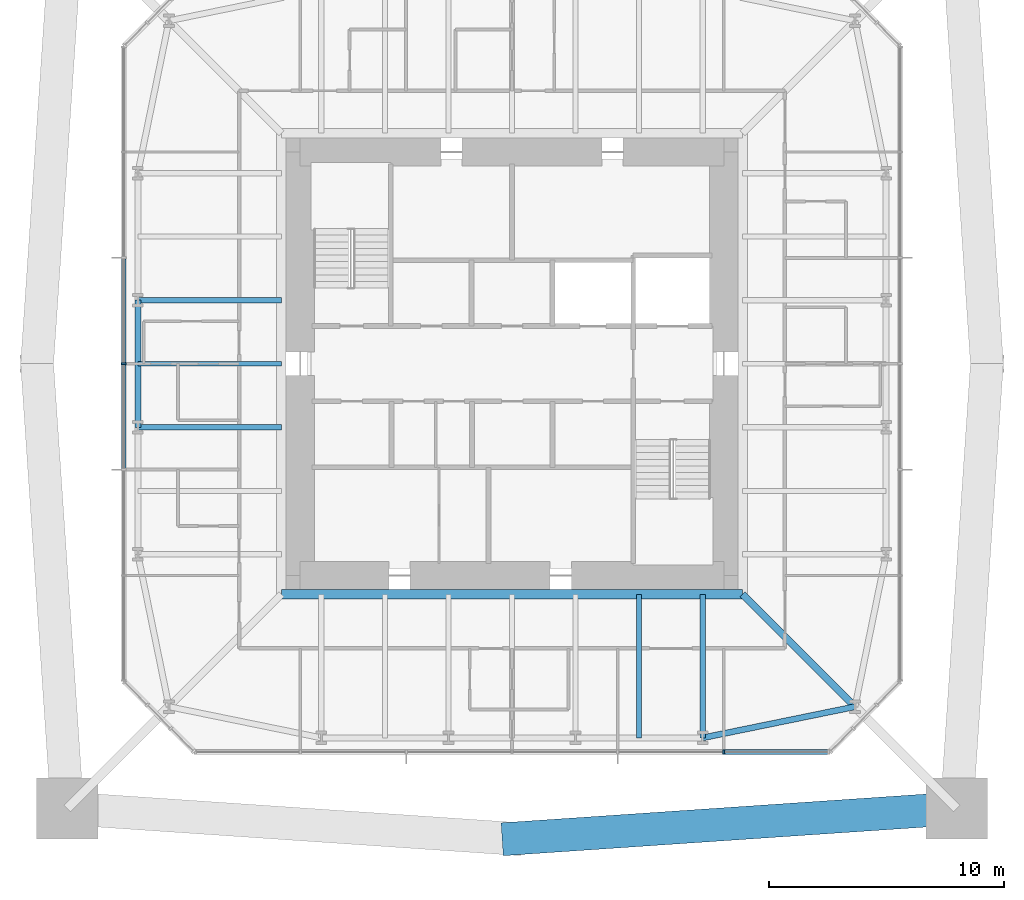
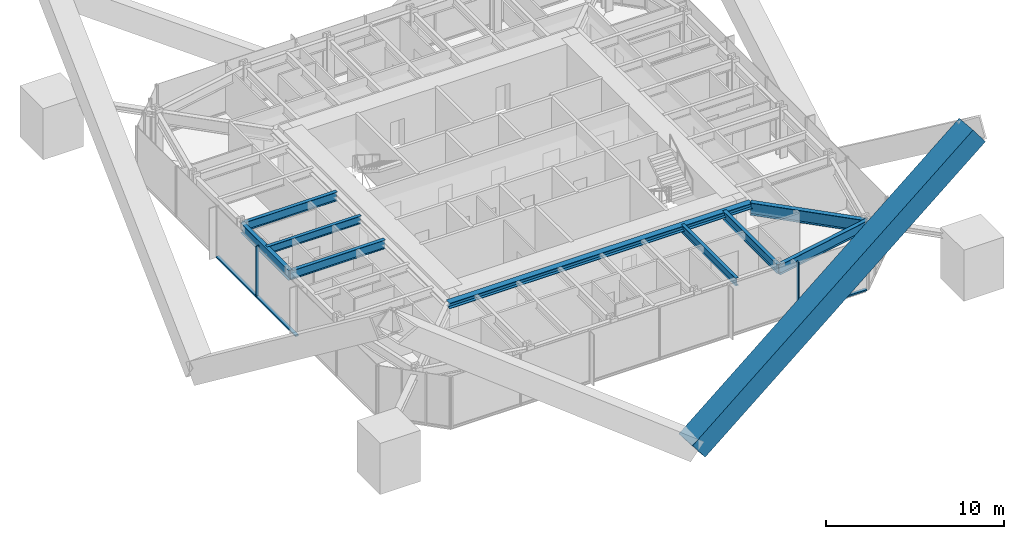
# One storey, part 3 of 11: 9 beams, 6 members, 2 elements without a shape of their own.
"""IFC4 building model written with IfcOpenShell, lengths in metres."""

import ifcopenshell
import ifcopenshell.guid

model = None  # the IFC model being written
_history = None  # IfcOwnerHistory: only IFC2X3 demands one
_inside = {}  # id of a spatial element -> (the spatial element, [elements in it])
_under = {}  # id of a project, library or spatial element -> (it, [spatial elements below it])
_declared = {}  # id of a project -> (the project, [libraries it declares])
_typed = {}  # id of a type object -> (the type object, [elements of that type])
_made_of = {}  # id of a material, layer set ... -> (it, [elements and type objects made of it])


def new_model(schema):
    """Start an empty IFC model of exactly this schema.

    Asked for "IFC4X3", IfcOpenShell would pick the latest addendum, in which some entities
    have other attributes; the version numbers below select the first issue.
    IFC2X3 requires an IfcOwnerHistory on every rooted entity: one is made here for all.
    """
    global model, _history
    if schema == "IFC4X3":
        model = ifcopenshell.file(schema_version=(4, 3, 0, 0))
    else:
        model = ifcopenshell.file(schema=schema)
    _inside.clear()
    _under.clear()
    _declared.clear()
    _typed.clear()
    _made_of.clear()
    _history = None
    if model.schema == "IFC2X3":
        org = make("IfcOrganization", Name="unknown")
        user = make(
            "IfcPersonAndOrganization",
            ThePerson=make("IfcPerson", FamilyName="unknown"),
            TheOrganization=org,
        )
        app = make(
            "IfcApplication",
            ApplicationDeveloper=org,
            Version="unknown",
            ApplicationFullName="unknown",
            ApplicationIdentifier="unknown",
        )
        _history = make(
            "IfcOwnerHistory",
            OwningUser=user,
            OwningApplication=app,
            ChangeAction="ADDED",
            CreationDate=0,
        )
    return model


def make(cls, **values):
    """One entity of the class cls with the attributes given. An attribute that is None is left unset."""
    return model.create_entity(
        cls, **{name: value for name, value in values.items() if value is not None}
    )


def rooted(cls, **values):
    """An entity with a GlobalId (a new one), such as an element, a storey or a relation."""
    return make(cls, GlobalId=ifcopenshell.guid.new(), OwnerHistory=_history, **values)


def si_unit(unit_type, name, prefix=None):
    """IfcSIUnit, for example si_unit("LENGTHUNIT", "METRE", prefix="MILLI")."""
    return make("IfcSIUnit", UnitType=unit_type, Prefix=prefix, Name=name)


def assignment(units):
    """IfcUnitAssignment: the units of a project."""
    return None if units is None else make("IfcUnitAssignment", Units=units)


def point(xyz):
    """IfcCartesianPoint."""
    return None if xyz is None else make("IfcCartesianPoint", Coordinates=xyz)


def direction(xyz):
    """IfcDirection."""
    return None if xyz is None else make("IfcDirection", DirectionRatios=xyz)


def frame(location, z_axis=None, x_axis=None):
    """IfcAxis2Placement3D, a coordinate frame: its origin and axes. An axis left out is left unset."""
    return make(
        "IfcAxis2Placement3D",
        Location=point(location),
        Axis=direction(z_axis),
        RefDirection=direction(x_axis),
    )


def frame_2d(location, x_axis=None):
    """IfcAxis2Placement2D, a coordinate frame in the plane: its origin and x axis."""
    return make(
        "IfcAxis2Placement2D", Location=point(location), RefDirection=direction(x_axis)
    )


def origin():
    """The frame at (0, 0, 0) with its axes left unset."""
    return frame((0.0, 0.0, 0.0))


def origin_2d():
    """The frame at (0, 0) in the plane with its x axis left unset."""
    return frame_2d((0.0, 0.0))


def place(relative_to, where):
    """IfcLocalPlacement: puts the frame where relative to a parent placement (None: the world)."""
    return make(
        "IfcLocalPlacement", PlacementRelTo=relative_to, RelativePlacement=where
    )


def context(
    kind, dimensions, precision=None, world=None, true_north=None, identifier=None
):
    """IfcGeometricRepresentationContext, for example the 3D "Model" context."""
    return make(
        "IfcGeometricRepresentationContext",
        ContextIdentifier=identifier,
        ContextType=kind,
        CoordinateSpaceDimension=dimensions,
        Precision=precision,
        WorldCoordinateSystem=world,
        TrueNorth=true_north,
    )


def subcontext(parent, identifier, kind, view, scale=None):
    """IfcGeometricRepresentationSubContext, for example "Body" below "Model"."""
    return make(
        "IfcGeometricRepresentationSubContext",
        ContextIdentifier=identifier,
        ContextType=kind,
        ParentContext=parent,
        TargetScale=scale,
        TargetView=view,
    )


def project(units=None, contexts=None):
    """IfcProject with its units and contexts."""
    return rooted(
        "IfcProject",
        Name="project",
        RepresentationContexts=contexts,
        UnitsInContext=assignment(units),
    )


def spatial(cls, under=None, at=None, **own):
    """A site, building, storey or space (cls), placed at a placement, below another one or the project."""
    s = rooted(cls, ObjectPlacement=at, **own)
    if under is not None:
        _under.setdefault(under.id(), (under, []))[1].append(s)
    return s


def profile(cls, at=None, kind="AREA", **sizes):
    """A parametric profile (cls). Its sizes go by their IFC names, for example OverallWidth=200.0."""
    return make(cls, ProfileType=kind, Position=at, **sizes)


def rectangle(**sizes):
    """IfcRectangleProfileDef."""
    return profile("IfcRectangleProfileDef", **sizes)


def hollow_rectangle(**sizes):
    """IfcRectangleHollowProfileDef."""
    return profile("IfcRectangleHollowProfileDef", **sizes)


def i_section(**sizes):
    """IfcIShapeProfileDef."""
    return profile("IfcIShapeProfileDef", **sizes)


def extrude(swept, where, along, depth):
    """IfcExtrudedAreaSolid: the profile swept, set in the frame where, extruded along a direction by depth."""
    return make(
        "IfcExtrudedAreaSolid",
        SweptArea=swept,
        Position=where,
        ExtrudedDirection=direction(along),
        Depth=depth,
    )


def shape(context_of_items, identifier, shape_type, items):
    """IfcShapeRepresentation: the items that make up one representation, for example the "Body"."""
    return make(
        "IfcShapeRepresentation",
        ContextOfItems=context_of_items,
        RepresentationIdentifier=identifier,
        RepresentationType=shape_type,
        Items=items,
    )


def material(Name=None, Category=None):
    """IfcMaterial."""
    return make("IfcMaterial", Name=Name, Category=Category)


def material_profile(
    of_material, cross_section, Name=None, Category=None, Priority=None
):
    """IfcMaterialProfile: a cross section and its material."""
    return make(
        "IfcMaterialProfile",
        Name=Name,
        Material=of_material,
        Profile=cross_section,
        Priority=Priority,
        Category=Category,
    )


def profile_set(profiles, Name=None, composite=None):
    """IfcMaterialProfileSet."""
    return make(
        "IfcMaterialProfileSet",
        Name=Name,
        MaterialProfiles=profiles,
        CompositeProfile=composite,
    )


def made_of(thing, what):
    """Note that an element or type object is made of a material, layer set ...; save() writes the relation."""
    if what is not None:
        _made_of.setdefault(what.id(), (what, []))[1].append(thing)
    return thing


def type_object(cls, material=None, **own):
    """A type object (cls), such as IfcWallType, which elements share."""
    return made_of(rooted(cls, **own), material)


def element(
    cls,
    number,
    at=None,
    inside=None,
    cuts=None,
    type_object=None,
    material=None,
    context=None,
    identifier="Body",
    shape_type=None,
    held_by="IfcProductDefinitionShape",
    body=None,
    shapes=None,
    **own,
):
    """One element of the class cls, such as IfcWall. Its Tag is "e" and its number.

    at: its placement. inside: the storey or other place that contains it. cuts: it is an
    opening in that element (IfcRelVoidsElement). A single representation is given by context,
    identifier, shape_type and body (its items); several are given by shapes. held_by: the class
    of the entity that holds the representations. save() writes the other relations.
    """
    e = rooted(cls, Tag="e%d" % number, ObjectPlacement=at, **own)
    if body is not None:
        shapes = [shape(context, identifier, shape_type, body)]
    if shapes is not None:
        e.Representation = make(held_by, Representations=shapes)
    if inside is not None:
        _inside.setdefault(inside.id(), (inside, []))[1].append(e)
    if cuts is not None:
        rooted(
            "IfcRelVoidsElement", RelatingBuildingElement=cuts, RelatedOpeningElement=e
        )
    if type_object is not None:
        _typed.setdefault(type_object.id(), (type_object, []))[1].append(e)
    return made_of(e, material)


def aggregate(whole, parts):
    """IfcRelAggregates: a whole, such as a stair, and the parts it consists of."""
    return rooted("IfcRelAggregates", RelatingObject=whole, RelatedObjects=parts)


def save(model, path):
    """Write the relations noted so far, then the file.

    IfcRelAggregates (storeys below a building ...), IfcRelContainedInSpatialStructure (elements
    in a storey), IfcRelDefinesByType, IfcRelAssociatesMaterial and IfcRelDeclares: one each for
    every whole, place, type object, material and project.
    """
    for whole, parts in _under.values():
        aggregate(whole, parts)
    for where, things in _inside.values():
        rooted(
            "IfcRelContainedInSpatialStructure",
            RelatedElements=things,
            RelatingStructure=where,
        )
    for kind, things in _typed.values():
        rooted("IfcRelDefinesByType", RelatedObjects=things, RelatingType=kind)
    for what, things in _made_of.values():
        rooted("IfcRelAssociatesMaterial", RelatedObjects=things, RelatingMaterial=what)
    for by, libraries in _declared.values():
        rooted("IfcRelDeclares", RelatingContext=by, RelatedDefinitions=libraries)
    model.write(path)


model = new_model("IFC4")

# Units and contexts
model_context = context("Model", 3, precision=1e-05, world=origin(), true_north=direction((0.0, 1.0)))
body_context = subcontext(model_context, "Body", "Model", "MODEL_VIEW")
ifc_project = project(units=[si_unit("LENGTHUNIT", "METRE"), si_unit("AREAUNIT", "SQUARE_METRE"), si_unit("VOLUMEUNIT", "CUBIC_METRE"), si_unit("PLANEANGLEUNIT", "RADIAN"), si_unit("MASSUNIT", "GRAM", prefix="KILO")], contexts=[model_context])

# Site, building, storey
site_placement = place(None, origin())
site = spatial("IfcSite", under=ifc_project, at=site_placement, CompositionType="ELEMENT")
building_placement = place(site_placement, origin())
building = spatial("IfcBuilding", under=site, at=building_placement, Name="Iwan Alto Co-Living Towers", CompositionType="ELEMENT")
storey_placement = place(building_placement, frame((0.0, 0.0, 229.0)))
storey = spatial("IfcBuildingStorey", under=building, at=storey_placement, Name="L62", CompositionType="ELEMENT", Elevation=229.0)

# Curtain wall, member
ifc_material_1 = material(Name="Bronze aluminium unitised frame", Category="aluminium")
curtain_wall_type = type_object("IfcCurtainWallType", Name="CURTAIN WALL CW-A", PredefinedType="NOTDEFINED", material=ifc_material_1)
curtain_wall_1_placement = place(storey_placement, origin())
curtain_wall_1 = element("IfcCurtainWall", 1, at=curtain_wall_1_placement, inside=storey, type_object=curtain_wall_type, Name="T1 curtain wall S L62", PredefinedType="NOTDEFINED")
ifc_material_2 = material(Name="Aluminium 6063-T6 bronze anodised", Category="aluminium")
ifc_material_profile_1 = material_profile(ifc_material_2, rectangle(XDim=0.199951171875, YDim=0.080078125, at=origin_2d()), Name="AL 80X200")
ifc_profile_set_1 = profile_set([ifc_material_profile_1], Name="Aluminium 6063-T6 bronze anodised")
member_type_1 = type_object("IfcMemberType", Name="CW-A MULLION 80X200", PredefinedType="MULLION", material=ifc_profile_set_1)
member_1_placement = place(storey_placement, frame((9.0, -16.5, 0.0), z_axis=(0.0, 0.0, 1.0), x_axis=(0.0, 1.0, 0.0)))
member_1 = element("IfcMember", 2, at=member_1_placement, type_object=member_type_1, Name="CW-A mullion 6", PredefinedType="MULLION", context=body_context, shape_type="SweptSolid", body=[
    extrude(rectangle(XDim=0.199951171875, YDim=0.080078125, at=origin_2d()), origin(), (0.0, 0.0, 1.0), 3.5),
])

curtain_wall_2_placement = place(storey_placement, origin())
curtain_wall_2 = element("IfcCurtainWall", 3, at=curtain_wall_2_placement, inside=storey, type_object=curtain_wall_type, Name="T1 curtain wall W L62", PredefinedType="NOTDEFINED")
member_2_placement = place(storey_placement, frame((-16.5, 0.0, 0.0), z_axis=(0.0, 0.0, 1.0), x_axis=(1.0, 0.0, 0.0)))
member_2 = element("IfcMember", 4, at=member_2_placement, type_object=member_type_1, Name="CW-A mullion 4", PredefinedType="MULLION", context=body_context, shape_type="SweptSolid", body=[
    extrude(rectangle(XDim=0.199951171875, YDim=0.080078125, at=origin_2d()), origin(), (0.0, 0.0, 1.0), 3.5),
])

# Member
ifc_material_3 = material(Name="Aluminium 6063-T6 bronze anodised", Category="aluminium")
ifc_material_profile_2 = material_profile(ifc_material_3, rectangle(XDim=0.199951171875, YDim=0.10009765625, at=origin_2d()), Name="AL 200X100")
ifc_profile_set_2 = profile_set([ifc_material_profile_2], Name="Aluminium 6063-T6 bronze anodised")
member_type_2 = type_object("IfcMemberType", Name="CW-A TRANSOM 200X100", PredefinedType="USERDEFINED", material=ifc_profile_set_2)
member_3_placement = place(storey_placement, frame((9.0400390625, -16.5, 0.050048828125), z_axis=(1.0, 0.0, 0.0), x_axis=(0.0, 1.0, 0.0)))
member_3 = element("IfcMember", 5, at=member_3_placement, type_object=member_type_2, Name="CW-A transom 6.1", ObjectType="TRANSOM", PredefinedType="USERDEFINED", context=body_context, shape_type="SweptSolid", body=[
    extrude(rectangle(XDim=0.199951171875, YDim=0.10009765625, at=origin_2d()), origin(), (0.0, 0.0, 1.0), 4.3798828125),
])

aggregate(curtain_wall_1, [member_1, member_3])

member_4_placement = place(storey_placement, frame((-16.5, 4.4599609375, 0.050048828125), z_axis=(0.0, -1.0, 0.0), x_axis=(1.0, 0.0, 0.0)))
member_4 = element("IfcMember", 6, at=member_4_placement, type_object=member_type_2, Name="CW-A transom 3.1", ObjectType="TRANSOM", PredefinedType="USERDEFINED", context=body_context, shape_type="SweptSolid", body=[
    extrude(rectangle(XDim=0.199951171875, YDim=0.10009765625, at=origin_2d()), origin(), (0.0, 0.0, 1.0), 4.419921875),
])

member_5_placement = place(storey_placement, frame((-16.5, -0.0400390625, 0.050048828125), z_axis=(0.0, -1.0, 0.0), x_axis=(1.0, 0.0, 0.0)))
member_5 = element("IfcMember", 7, at=member_5_placement, type_object=member_type_2, Name="CW-A transom 4.1", ObjectType="TRANSOM", PredefinedType="USERDEFINED", context=body_context, shape_type="SweptSolid", body=[
    extrude(rectangle(XDim=0.199951171875, YDim=0.10009765625, at=origin_2d()), origin(), (0.0, 0.0, 1.0), 4.419921875),
])

aggregate(curtain_wall_2, [member_2, member_4, member_5])

# Beams
ifc_material_4 = material(Name="Steel ASTM A992 Gr 50", Category="steel")
ifc_material_profile_3 = material_profile(ifc_material_4, i_section(OverallWidth=0.398681640625, OverallDepth=0.385986328125, WebThickness=0.02099609375, FlangeThickness=0.033203125, at=origin_2d()), Name="W14X176")
ifc_profile_set_3 = profile_set([ifc_material_profile_3], Name="Steel ASTM A992 Gr 50")
beam_type_1 = type_object("IfcBeamType", Name="T1 CORE LEDGER BEAM W14X176", PredefinedType="BEAM", material=ifc_profile_set_3)
beam_1_placement = place(storey_placement, frame((-9.79931640625, -9.79931640625, 3.076904296875), z_axis=(1.0, 0.0, 0.0), x_axis=(0.0, 1.0, 0.0)))
element("IfcBeam", 8, at=beam_1_placement, inside=storey, type_object=beam_type_1, Name="T1 core ledger beam S L63", PredefinedType="BEAM", context=body_context, shape_type="SweptSolid", body=[
    extrude(i_section(OverallWidth=0.398681640625, OverallDepth=0.385986328125, WebThickness=0.02099609375, FlangeThickness=0.033203125, at=origin_2d()), origin(), (0.0, 0.0, 1.0), 19.5986328125),
])
ifc_material_5 = material(Name="Steel ASTM A992 Gr 50", Category="steel")
ifc_material_profile_4 = material_profile(ifc_material_5, i_section(OverallWidth=0.2919921875, OverallDepth=0.8408203125, WebThickness=0.0146484375, FlangeThickness=0.021728515625, at=origin_2d()), Name="W33X130")
ifc_profile_set_4 = profile_set([ifc_material_profile_4], Name="Steel ASTM A992 Gr 50")
beam_type_2 = type_object("IfcBeamType", Name="T1 CORNER GIRDER W33X130", PredefinedType="BEAM", material=ifc_profile_set_4)
beam_2_placement = place(storey_placement, frame((14.57568359375, -14.57568359375, 2.849609375), z_axis=(-0.707106781187, 0.707106781187, 0.0), x_axis=(-0.707106781187, -0.707106781187, 0.0)))
element("IfcBeam", 9, at=beam_2_placement, inside=storey, type_object=beam_type_2, Name="T1 corner girder CSE L63", PredefinedType="BEAM", context=body_context, shape_type="SweptSolid", body=[
    extrude(i_section(OverallWidth=0.2919921875, OverallDepth=0.8408203125, WebThickness=0.0146484375, FlangeThickness=0.021728515625, at=origin_2d()), origin(), (0.0, 0.0, 1.0), 6.7548828125),
])
ifc_material_6 = material(Name="Steel ASTM A992 Gr 50", Category="steel")
ifc_material_profile_5 = material_profile(ifc_material_6, i_section(OverallWidth=0.25390625, OverallDepth=0.683349609375, WebThickness=0.012451171875, FlangeThickness=0.018798828125, at=origin_2d()), Name="W27X94")
ifc_profile_set_5 = profile_set([ifc_material_profile_5], Name="Steel ASTM A992 Gr 50")
beam_type_3 = type_object("IfcBeamType", Name="T1 EDGE BEAM W27X94", PredefinedType="BEAM", material=ifc_profile_set_5)
beam_3_placement = place(storey_placement, frame((8.10009765625, -15.89990234375, 2.928466796875), z_axis=(0.979724820103, 0.200347889618, 0.0), x_axis=(-0.200347889618, 0.979724820103, 0.0)))
element("IfcBeam", 10, at=beam_3_placement, inside=storey, type_object=beam_type_3, Name="T1 edge beam S4 L63", PredefinedType="BEAM", context=body_context, shape_type="SweptSolid", body=[
    extrude(i_section(OverallWidth=0.25390625, OverallDepth=0.683349609375, WebThickness=0.012451171875, FlangeThickness=0.018798828125, at=origin_2d()), origin(), (0.0, 0.0, 1.0), 6.609619140625),
])
beam_4_placement = place(storey_placement, frame((-15.89990234375, 2.699951171875, 2.928466796875), z_axis=(0.0, -1.0, 0.0), x_axis=(1.0, 0.0, 0.0)))
element("IfcBeam", 11, at=beam_4_placement, inside=storey, type_object=beam_type_3, Name="T1 edge beam W2 L63", PredefinedType="BEAM", context=body_context, shape_type="SweptSolid", body=[
    extrude(i_section(OverallWidth=0.25390625, OverallDepth=0.683349609375, WebThickness=0.012451171875, FlangeThickness=0.018798828125, at=origin_2d()), origin(), (0.0, 0.0, 1.0), 5.39990234375),
])

# Member
ifc_material_7 = material(Name="Steel ASTM A572 Gr 50", Category="steel")
ifc_material_profile_6 = material_profile(ifc_material_7, hollow_rectangle(XDim=1.39990234375, YDim=1.39990234375, WallThickness=0.10009765625, at=origin_2d()), Name="BOX 1400X1400X100")
ifc_profile_set_6 = profile_set([ifc_material_profile_6], Name="Steel ASTM A572 Gr 50")
member_type_3 = type_object("IfcMemberType", Name="T1 MEGA BRACE BOX 1400X1400X100", PredefinedType="BRACE", material=ifc_profile_set_6)
member_6_placement = place(storey_placement, frame((0.0, -20.181640625, -3.7158203125), z_axis=(0.797998095626, 0.054117989021, 0.600225193274), x_axis=(-0.067661775131, 0.997708316186, 0.0)))
element("IfcMember", 12, at=member_6_placement, inside=storey, type_object=member_type_3, Name="T1 mega brace Z4A S 1 upper", PredefinedType="BRACE", context=body_context, shape_type="SweptSolid", body=[
    extrude(hollow_rectangle(XDim=1.39990234375, YDim=1.39990234375, WallThickness=0.10009765625, at=origin_2d()), origin(), (0.0, 0.0, 1.0), 23.68408203125),
])

# Beams
ifc_material_8 = material(Name="Steel ASTM A992 Gr 50", Category="steel")
ifc_material_profile_7 = material_profile(ifc_material_8, i_section(OverallWidth=0.228271484375, OverallDepth=0.607177734375, WebThickness=0.01123046875, FlangeThickness=0.017333984375, at=origin_2d()), Name="W24X76")
ifc_profile_set_7 = profile_set([ifc_material_profile_7], Name="Steel ASTM A992 Gr 50")
beam_type_4 = type_object("IfcBeamType", Name="T1 RADIAL BEAM W24X76", PredefinedType="BEAM", material=ifc_profile_set_7)
for number, where, z_axis, x_axis, name in (
    (13, (8.10009765625, -15.89990234375, 2.966552734375), (0.0, 1.0, 0.0), (-1.0, 0.0, 0.0), "T1 radial beam S4 L63"),
    (14, (-15.89990234375, 2.699951171875, 2.966552734375), (1.0, 0.0, 0.0), (0.0, 1.0, 0.0), "T1 radial beam W2 L63"),
    (15, (-15.89990234375, -2.699951171875, 2.966552734375), (1.0, 0.0, 0.0), (0.0, 1.0, 0.0), "T1 radial beam W3 L63"),
):
    element("IfcBeam", number, at=place(storey_placement, frame(where, z_axis=z_axis, x_axis=x_axis)), inside=storey, type_object=beam_type_4, Name=name, PredefinedType="BEAM", context=body_context, shape_type="SweptSolid", body=[
        extrude(i_section(OverallWidth=0.228271484375, OverallDepth=0.607177734375, WebThickness=0.01123046875, FlangeThickness=0.017333984375, at=origin_2d()), origin(), (0.0, 0.0, 1.0), 6.1005859375),
    ])
ifc_material_9 = material(Name="Steel ASTM A992 Gr 50", Category="steel")
ifc_material_profile_8 = material_profile(ifc_material_9, i_section(OverallWidth=0.209228515625, OverallDepth=0.533447265625, WebThickness=0.01025390625, FlangeThickness=0.015625, at=origin_2d()), Name="W21X62")
ifc_profile_set_8 = profile_set([ifc_material_profile_8], Name="Steel ASTM A992 Gr 50")
beam_type_5 = type_object("IfcBeamType", Name="T1 SECONDARY BEAM W21X62", PredefinedType="JOIST", material=ifc_profile_set_8)
for number, where, z_axis, x_axis, name in (
    (16, (5.39990234375, -15.89990234375, 3.00341796875), (0.0, 1.0, 0.0), (-1.0, 0.0, 0.0), "T1 secondary beam S3 L63"),
    (17, (-15.89990234375, 0.0, 3.00341796875), (1.0, 0.0, 0.0), (0.0, 1.0, 0.0), "T1 secondary beam W2 L63"),
):
    element("IfcBeam", number, at=place(storey_placement, frame(where, z_axis=z_axis, x_axis=x_axis)), inside=storey, type_object=beam_type_5, Name=name, PredefinedType="JOIST", context=body_context, shape_type="SweptSolid", body=[
        extrude(i_section(OverallWidth=0.209228515625, OverallDepth=0.533447265625, WebThickness=0.01025390625, FlangeThickness=0.015625, at=origin_2d()), origin(), (0.0, 0.0, 1.0), 6.1005859375),
    ])

save(model, "model.ifc")
